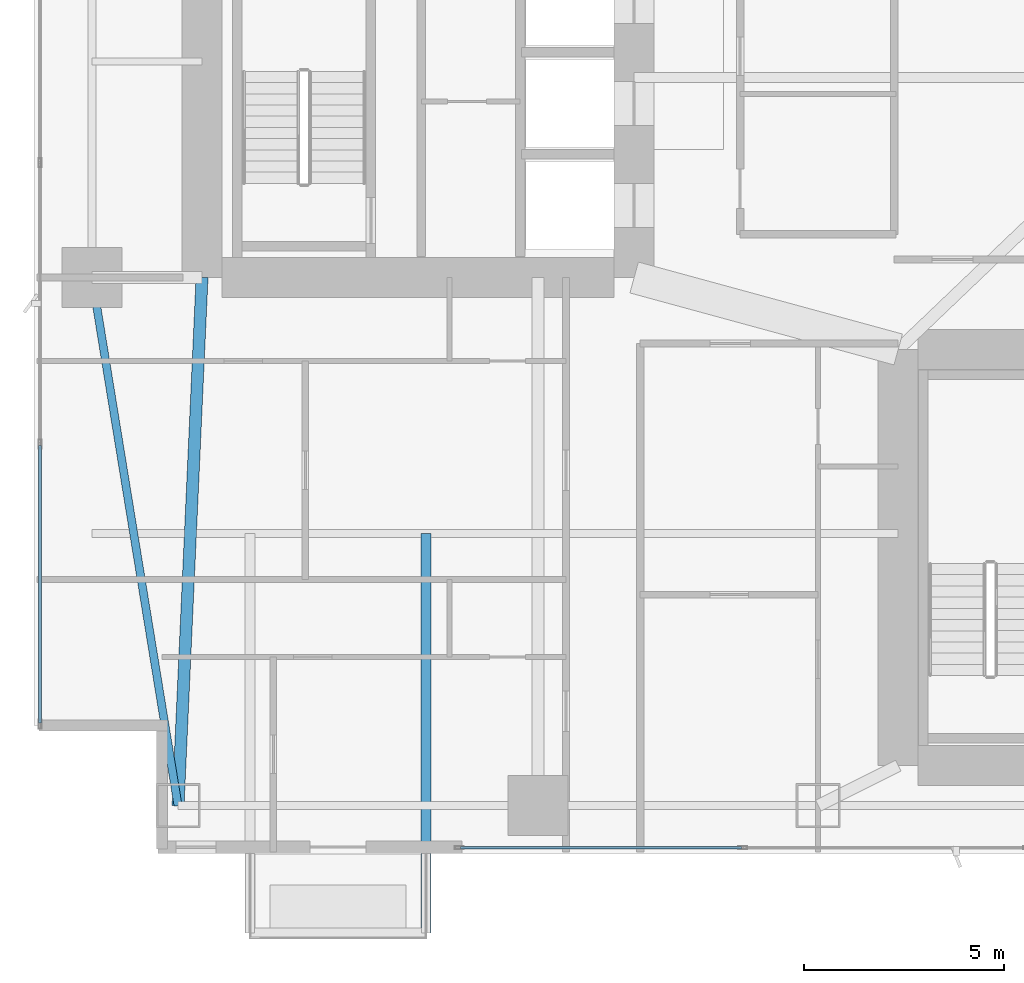
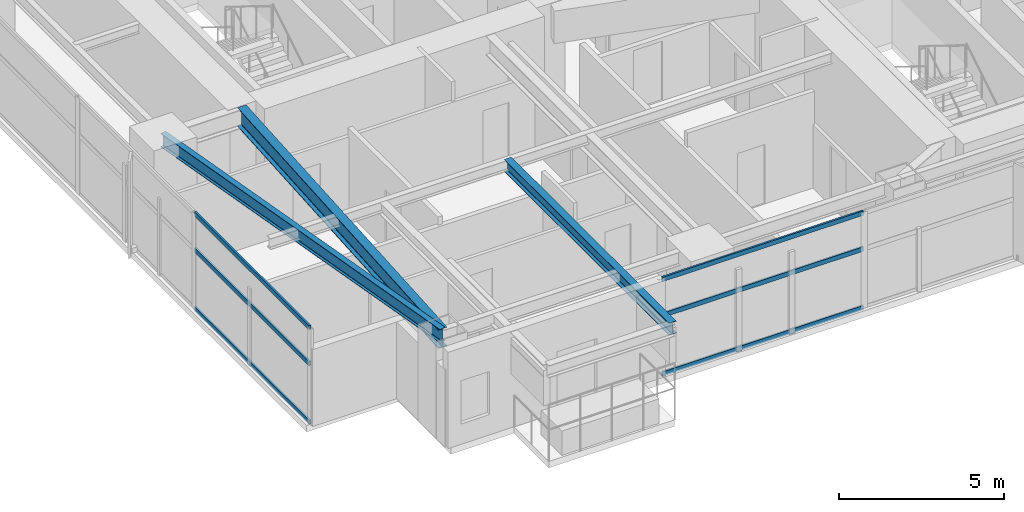
# One storey, part 3 of 29: 6 members, 3 beams, 2 elements without a shape of their own.
"""IFC4 building model written with IfcOpenShell, lengths in metres."""

from ifc_helpers import new_model, si_unit, direction, frame, origin, origin_2d, place, context, subcontext, project, spatial, hollow_rectangle, i_section, extrude, material, layer, layer_set, material_profile, profile_set, type_object, element, aggregate, save


model = new_model("IFC4")

# Units and contexts
model_context = context("Model", 3, precision=1e-05, world=origin(), true_north=direction((0.0, 1.0)))
body_context = subcontext(model_context, "Body", "Model", "MODEL_VIEW")
ifc_project = project(units=[si_unit("LENGTHUNIT", "METRE"), si_unit("AREAUNIT", "SQUARE_METRE"), si_unit("VOLUMEUNIT", "CUBIC_METRE"), si_unit("PLANEANGLEUNIT", "RADIAN"), si_unit("MASSUNIT", "GRAM", prefix="KILO")], contexts=[model_context])

# Site, building, storey
site_placement = place(None, origin())
site = spatial("IfcSite", under=ifc_project, at=site_placement, CompositionType="ELEMENT")
building_placement = place(site_placement, origin())
building = spatial("IfcBuilding", under=site, at=building_placement, Name="Calvorn Quay Hotel", CompositionType="ELEMENT")
storey_placement = place(building_placement, frame((0.0, 0.0, 66.0)))
storey = spatial("IfcBuildingStorey", under=building, at=storey_placement, Name="L15", CompositionType="ELEMENT", Elevation=66.0)

# Beams
ifc_material_1 = material(Name="Steel Q355B", Category="steel")
ifc_material_profile_1 = material_profile(ifc_material_1, i_section(OverallWidth=0.25, OverallDepth=0.449951171875, WebThickness=0.011962890625, FlangeThickness=0.01611328125, FilletRadius=0.01611328125, at=origin_2d()), Name="HN450x250x12x16")
ifc_profile_set_1 = profile_set([ifc_material_profile_1], Name="Steel Q355B")
beam_type_1 = type_object("IfcBeamType", Name="BM-CANT-BALC", PredefinedType="BEAM", material=ifc_profile_set_1)
beam_1_placement = place(storey_placement, frame((9.800048828125, 10.39990234375, 3.31494140625), z_axis=(0.0, -1.0, 0.0), x_axis=(1.0, 0.0, 0.0)))
element("IfcBeam", 1, at=beam_1_placement, inside=storey, type_object=beam_type_1, Name="Cantilever Balcony Beam BCB-L16-2B", PredefinedType="BEAM", context=body_context, shape_type="SweptSolid", body=[
    extrude(i_section(OverallWidth=0.25, OverallDepth=0.449951171875, WebThickness=0.011962890625, FlangeThickness=0.01611328125, FilletRadius=0.01611328125, at=origin_2d()), origin(), (0.0, 0.0, 1.0), 9.989990234375),
])
ifc_material_2 = material(Name="Steel Q390GJC", Category="steel")
ifc_material_profile_2 = material_profile(ifc_material_2, i_section(OverallWidth=0.300048828125, OverallDepth=0.699951171875, WebThickness=0.012939453125, FlangeThickness=0.02392578125, FilletRadius=0.02392578125, at=origin_2d()), Name="HN700x300x13x24")
ifc_profile_set_2 = profile_set([ifc_material_profile_2], Name="Steel Q390GJC")
beam_type_2 = type_object("IfcBeamType", Name="BM-GIRD-MAIN", PredefinedType="BEAM", material=ifc_profile_set_2)
beam_2_placement = place(storey_placement, frame((3.60009765625, 3.60009765625, 3.18994140625), z_axis=(0.045396765494, 0.998969035397, 0.0), x_axis=(-0.998969035397, 0.045396765494, 0.0)))
element("IfcBeam", 2, at=beam_2_placement, inside=storey, type_object=beam_type_2, Name="Beam BG-L15-W0", PredefinedType="BEAM", context=body_context, shape_type="SweptSolid", body=[
    extrude(i_section(OverallWidth=0.300048828125, OverallDepth=0.699951171875, WebThickness=0.012939453125, FlangeThickness=0.02392578125, FilletRadius=0.02392578125, at=origin_2d()), origin(), (0.0, 0.0, 1.0), 13.213623046875),
])
ifc_material_3 = material(Name="Steel Q355B", Category="steel")
ifc_material_profile_3 = material_profile(ifc_material_3, i_section(OverallWidth=0.199951171875, OverallDepth=0.5, WebThickness=0.010009765625, FlangeThickness=0.01611328125, FilletRadius=0.01611328125, at=origin_2d()), Name="HN500x200x10x16")
ifc_profile_set_3 = profile_set([ifc_material_profile_3], Name="Steel Q355B")
beam_type_3 = type_object("IfcBeamType", Name="BM-SPANDREL-Z1", PredefinedType="SPANDREL", material=ifc_profile_set_3)
beam_3_placement = place(storey_placement, frame((3.60009765625, 3.60009765625, 3.2900390625), z_axis=(-0.16077155054, 0.986991645627, 0.0), x_axis=(-0.986991645627, -0.16077155054, 0.0)))
element("IfcBeam", 3, at=beam_3_placement, inside=storey, type_object=beam_type_3, Name="Beam BSP-L15-W1", PredefinedType="SPANDREL", context=body_context, shape_type="SweptSolid", body=[
    extrude(i_section(OverallWidth=0.199951171875, OverallDepth=0.5, WebThickness=0.010009765625, FlangeThickness=0.01611328125, FilletRadius=0.01611328125, at=origin_2d()), origin(), (0.0, 0.0, 1.0), 13.3740234375),
])

# Curtain wall, members
ifc_material_4 = material(Name="Pale Anodised Aluminium and Low-E Glass", Category="aluminium")
ifc_layer = layer(ifc_material_4, 0.219970703125)
ifc_layer_set = layer_set([ifc_layer], Name="CW-SYS-Z1")
curtain_wall_type = type_object("IfcCurtainWallType", Name="CW-SYS-Z1", PredefinedType="NOTDEFINED", material=ifc_layer_set)
curtain_wall_1_placement = place(storey_placement, origin())
curtain_wall_1 = element("IfcCurtainWall", 4, at=curtain_wall_1_placement, inside=storey, type_object=curtain_wall_type, Name="Tower West Curtain Wall (L15)", PredefinedType="NOTDEFINED")
ifc_material_5 = material(Name="Pale Anodised Aluminium 6063-T6", Category="aluminium")
ifc_material_profile_4 = material_profile(ifc_material_5, hollow_rectangle(XDim=0.06494140625, YDim=0.1650390625, WallThickness=0.00341796875, at=origin_2d()), Name="ALU-T165x65x3.5")
ifc_profile_set_4 = profile_set([ifc_material_profile_4], Name="Pale Anodised Aluminium 6063-T6")
member_type = type_object("IfcMemberType", Name="CW-SYS-Z1-TRN", PredefinedType="USERDEFINED", material=ifc_profile_set_4)
member_1_placement = place(storey_placement, frame((0.14990234375, 5.659912109375, 0.030029296875), z_axis=(0.0, 1.0, 0.0), x_axis=(-1.0, 0.0, 0.0)))
member_1 = element("IfcMember", 5, at=member_1_placement, type_object=member_type, Name="CW-L15-W transom 1.1", ObjectType="TRANSOM", PredefinedType="USERDEFINED", context=body_context, shape_type="SweptSolid", body=[
    extrude(hollow_rectangle(XDim=0.06494140625, YDim=0.1650390625, WallThickness=0.00341796875, at=origin_2d()), origin(), (0.0, 0.0, 1.0), 6.943359375),
])
member_2_placement = place(storey_placement, frame((0.14990234375, 5.659912109375, 2.199951171875), z_axis=(0.0, 1.0, 0.0), x_axis=(-1.0, 0.0, 0.0)))
member_2 = element("IfcMember", 6, at=member_2_placement, type_object=member_type, Name="CW-L15-W transom 1.2", ObjectType="TRANSOM", PredefinedType="USERDEFINED", context=body_context, shape_type="SweptSolid", body=[
    extrude(hollow_rectangle(XDim=0.06494140625, YDim=0.1650390625, WallThickness=0.00341796875, at=origin_2d()), origin(), (0.0, 0.0, 1.0), 6.943359375),
])
member_3_placement = place(storey_placement, frame((0.14990234375, 5.659912109375, 3.530029296875), z_axis=(0.0, 1.0, 0.0), x_axis=(-1.0, 0.0, 0.0)))
member_3 = element("IfcMember", 7, at=member_3_placement, type_object=member_type, Name="CW-L15-W transom 1.3", ObjectType="TRANSOM", PredefinedType="USERDEFINED", context=body_context, shape_type="SweptSolid", body=[
    extrude(hollow_rectangle(XDim=0.06494140625, YDim=0.1650390625, WallThickness=0.00341796875, at=origin_2d()), origin(), (0.0, 0.0, 1.0), 6.943359375),
])
aggregate(curtain_wall_1, [member_1, member_2, member_3])

curtain_wall_2_placement = place(storey_placement, origin())
curtain_wall_2 = element("IfcCurtainWall", 8, at=curtain_wall_2_placement, inside=storey, type_object=curtain_wall_type, Name="Tower South Waterfront Curtain Wall (L15)", PredefinedType="NOTDEFINED")
member_4_placement = place(storey_placement, frame((10.659912109375, 2.550048828125, 0.030029296875), z_axis=(1.0, 0.0, 0.0), x_axis=(0.0, 1.0, 0.0)))
member_4 = element("IfcMember", 9, at=member_4_placement, type_object=member_type, Name="CW-L15-S transom 1.1", ObjectType="TRANSOM", PredefinedType="USERDEFINED", context=body_context, shape_type="SweptSolid", body=[
    extrude(hollow_rectangle(XDim=0.06494140625, YDim=0.1650390625, WallThickness=0.00341796875, at=origin_2d()), origin(), (0.0, 0.0, 1.0), 7.0244140625),
])
member_5_placement = place(storey_placement, frame((10.659912109375, 2.550048828125, 2.199951171875), z_axis=(1.0, 0.0, 0.0), x_axis=(0.0, 1.0, 0.0)))
member_5 = element("IfcMember", 10, at=member_5_placement, type_object=member_type, Name="CW-L15-S transom 1.2", ObjectType="TRANSOM", PredefinedType="USERDEFINED", context=body_context, shape_type="SweptSolid", body=[
    extrude(hollow_rectangle(XDim=0.06494140625, YDim=0.1650390625, WallThickness=0.00341796875, at=origin_2d()), origin(), (0.0, 0.0, 1.0), 7.0244140625),
])
member_6_placement = place(storey_placement, frame((10.659912109375, 2.550048828125, 3.530029296875), z_axis=(1.0, 0.0, 0.0), x_axis=(0.0, 1.0, 0.0)))
member_6 = element("IfcMember", 11, at=member_6_placement, type_object=member_type, Name="CW-L15-S transom 1.3", ObjectType="TRANSOM", PredefinedType="USERDEFINED", context=body_context, shape_type="SweptSolid", body=[
    extrude(hollow_rectangle(XDim=0.06494140625, YDim=0.1650390625, WallThickness=0.00341796875, at=origin_2d()), origin(), (0.0, 0.0, 1.0), 7.0244140625),
])
aggregate(curtain_wall_2, [member_4, member_5, member_6])

save(model, "model.ifc")
